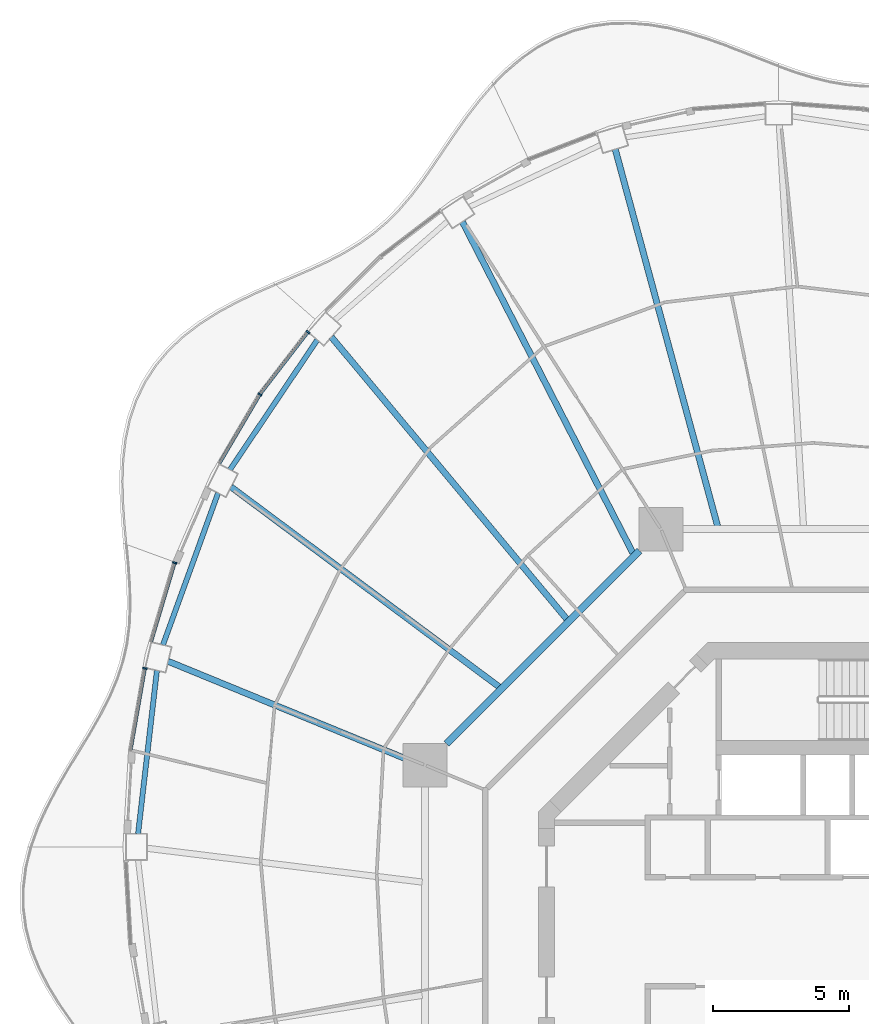
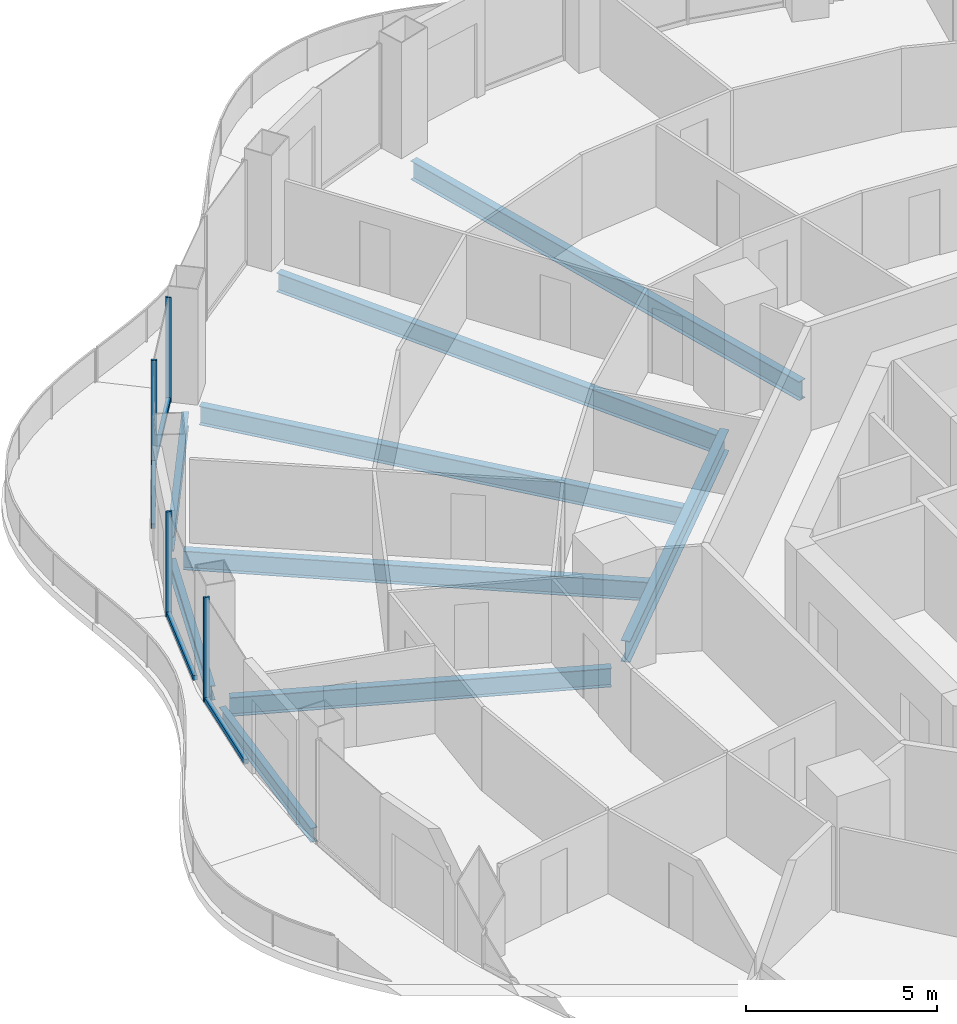
# One storey, part 5 of 18: 9 beams, 8 members, 4 elements without a shape of their own.
"""IFC4 building model written with IfcOpenShell, lengths in metres."""

from ifc_helpers import new_model, si_unit, direction, frame, origin, origin_2d, place, context, subcontext, project, spatial, rectangle, i_section, extrude, material, layer, layer_set, material_profile, profile_set, type_object, element, aggregate, save


model = new_model("IFC4")

# Units and contexts
model_context = context("Model", 3, precision=1e-05, world=origin(), true_north=direction((0.0, 1.0)))
body_context = subcontext(model_context, "Body", "Model", "MODEL_VIEW")
ifc_project = project(units=[si_unit("LENGTHUNIT", "METRE"), si_unit("AREAUNIT", "SQUARE_METRE"), si_unit("VOLUMEUNIT", "CUBIC_METRE"), si_unit("PLANEANGLEUNIT", "RADIAN"), si_unit("MASSUNIT", "GRAM", prefix="KILO")], contexts=[model_context])

# Site, building, storey
site_placement = place(None, origin())
site = spatial("IfcSite", under=ifc_project, at=site_placement, CompositionType="ELEMENT")
building_placement = place(site_placement, origin())
building = spatial("IfcBuilding", under=site, at=building_placement, Name="Nagisa Residences", CompositionType="ELEMENT")
storey_placement = place(building_placement, frame((0.0, 0.0, 249.199951171875)))
storey = spatial("IfcBuildingStorey", under=building, at=storey_placement, Name="L63", CompositionType="ELEMENT", Elevation=249.199951171875)

# Curtain wall, member
ifc_material_1 = material(Name="Concrete-coloured aluminium curtain wall system", Category="concrete")
ifc_layer = layer(ifc_material_1, 0.159912109375)
ifc_layer_set = layer_set([ifc_layer], Name="CW1 CURTAIN WALL")
curtain_wall_type = type_object("IfcCurtainWallType", Name="CW1 CURTAIN WALL", PredefinedType="NOTDEFINED", material=ifc_layer_set)
curtain_wall_1_placement = place(storey_placement, origin())
curtain_wall_1 = element("IfcCurtainWall", 1, at=curtain_wall_1_placement, inside=storey, type_object=curtain_wall_type, Name="cw:CW1:L63:18", PredefinedType="NOTDEFINED")
ifc_material_2 = material(Name="Concrete-coloured aluminium", Category="concrete")
ifc_material_profile_1 = material_profile(ifc_material_2, rectangle(XDim=0.159912109375, YDim=0.06005859375, at=origin_2d()), Name="CW1 MULLION 160x60")
ifc_profile_set_1 = profile_set([ifc_material_profile_1], Name="Concrete-coloured aluminium")
member_type_1 = type_object("IfcMemberType", Name="CW1 MULLION 160x60", PredefinedType="MULLION", material=ifc_profile_set_1)
member_1_placement = place(storey_placement, frame((-19.080322265625, 22.0166015625, 0.0), z_axis=(0.0, 0.0, 1.0), x_axis=(0.792070340816, -0.610429828235, 0.0)))
member_1 = element("IfcMember", 2, at=member_1_placement, type_object=member_type_1, Name="CW1 mullion", PredefinedType="MULLION", context=body_context, shape_type="SweptSolid", body=[
    extrude(rectangle(XDim=0.159912109375, YDim=0.06005859375, at=origin_2d()), origin(), (0.0, 0.0, 1.0), 3.35009765625),
])

curtain_wall_2_placement = place(storey_placement, origin())
curtain_wall_2 = element("IfcCurtainWall", 3, at=curtain_wall_2_placement, inside=storey, type_object=curtain_wall_type, Name="cw:CW1:L63:19", PredefinedType="NOTDEFINED")
member_2_placement = place(storey_placement, frame((-20.84228515625, 19.725341796875, 0.0), z_axis=(0.0, 0.0, 1.0), x_axis=(0.862328898214, -0.506348567002, 0.0)))
member_2 = element("IfcMember", 4, at=member_2_placement, type_object=member_type_1, Name="CW1 mullion", PredefinedType="MULLION", context=body_context, shape_type="SweptSolid", body=[
    extrude(rectangle(XDim=0.159912109375, YDim=0.06005859375, at=origin_2d()), origin(), (0.0, 0.0, 1.0), 3.35009765625),
])

curtain_wall_3_placement = place(storey_placement, origin())
curtain_wall_3 = element("IfcCurtainWall", 5, at=curtain_wall_3_placement, inside=storey, type_object=curtain_wall_type, Name="cw:CW1:L63:21", PredefinedType="NOTDEFINED")
member_3_placement = place(storey_placement, frame((-23.9697265625, 13.5478515625, 0.0), z_axis=(0.0, 0.0, 1.0), x_axis=(0.958271310082, -0.285860274038, 0.0)))
member_3 = element("IfcMember", 6, at=member_3_placement, type_object=member_type_1, Name="CW1 mullion", PredefinedType="MULLION", context=body_context, shape_type="SweptSolid", body=[
    extrude(rectangle(XDim=0.159912109375, YDim=0.06005859375, at=origin_2d()), origin(), (0.0, 0.0, 1.0), 3.35009765625),
])

curtain_wall_4_placement = place(storey_placement, origin())
curtain_wall_4 = element("IfcCurtainWall", 7, at=curtain_wall_4_placement, inside=storey, type_object=curtain_wall_type, Name="cw:CW1:L63:22", PredefinedType="NOTDEFINED")
member_4_placement = place(storey_placement, frame((-25.062255859375, 9.6708984375, 0.0), z_axis=(0.0, 0.0, 1.0), x_axis=(0.985063604377, -0.172190868898, 0.0)))
member_4 = element("IfcMember", 8, at=member_4_placement, type_object=member_type_1, Name="CW1 mullion", PredefinedType="MULLION", context=body_context, shape_type="SweptSolid", body=[
    extrude(rectangle(XDim=0.159912109375, YDim=0.06005859375, at=origin_2d()), origin(), (0.0, 0.0, 1.0), 3.35009765625),
])

# Member
ifc_material_3 = material(Name="Concrete-coloured aluminium", Category="concrete")
ifc_material_profile_2 = material_profile(ifc_material_3, rectangle(XDim=0.1201171875, YDim=0.14990234375, at=origin_2d()), Name="CW1 TRANSOM 120x150")
ifc_profile_set_2 = profile_set([ifc_material_profile_2], Name="Concrete-coloured aluminium")
member_type_2 = type_object("IfcMemberType", Name="CW1 TRANSOM 120x150", PredefinedType="USERDEFINED", material=ifc_profile_set_2)
member_5_placement = place(storey_placement, frame((-19.06201171875, 22.04052734375, 0.074951171875), z_axis=(-0.610438565676, -0.792063607001, 0.0), x_axis=(0.792063607001, -0.610438565676, 0.0)))
member_5 = element("IfcMember", 9, at=member_5_placement, type_object=member_type_2, Name="CW1 transom", ObjectType="TRANSOM", PredefinedType="USERDEFINED", context=body_context, shape_type="SweptSolid", body=[
    extrude(rectangle(XDim=0.1201171875, YDim=0.14990234375, at=origin_2d()), origin(), (0.0, 0.0, 1.0), 2.90087890625),
])

aggregate(curtain_wall_1, [member_1, member_5])

member_6_placement = place(storey_placement, frame((-20.8271484375, 19.751220703125, 0.074951171875), z_axis=(-0.506294090973, -0.862360883532, 0.0), x_axis=(0.862360883532, -0.506294090973, 0.0)))
member_6 = element("IfcMember", 10, at=member_6_placement, type_object=member_type_2, Name="CW1 transom", ObjectType="TRANSOM", PredefinedType="USERDEFINED", context=body_context, shape_type="SweptSolid", body=[
    extrude(rectangle(XDim=0.1201171875, YDim=0.14990234375, at=origin_2d()), origin(), (0.0, 0.0, 1.0), 2.95458984375),
])

aggregate(curtain_wall_2, [member_2, member_6])

member_7_placement = place(storey_placement, frame((-23.961181640625, 13.576416015625, 0.074951171875), z_axis=(-0.285881452443, -0.958264992134, 0.0), x_axis=(0.958264992134, -0.285881452443, 0.0)))
member_7 = element("IfcMember", 11, at=member_7_placement, type_object=member_type_2, Name="CW1 transom", ObjectType="TRANSOM", PredefinedType="USERDEFINED", context=body_context, shape_type="SweptSolid", body=[
    extrude(rectangle(XDim=0.1201171875, YDim=0.14990234375, at=origin_2d()), origin(), (0.0, 0.0, 1.0), 3.040283203125),
])

aggregate(curtain_wall_3, [member_3, member_7])

member_8_placement = place(storey_placement, frame((-25.05712890625, 9.700439453125, 0.074951171875), z_axis=(-0.172164083933, -0.985068286061, 0.0), x_axis=(0.985068286061, -0.172164083933, 0.0)))
member_8 = element("IfcMember", 12, at=member_8_placement, type_object=member_type_2, Name="CW1 transom", ObjectType="TRANSOM", PredefinedType="USERDEFINED", context=body_context, shape_type="SweptSolid", body=[
    extrude(rectangle(XDim=0.1201171875, YDim=0.14990234375, at=origin_2d()), origin(), (0.0, 0.0, 1.0), 3.0673828125),
])

aggregate(curtain_wall_4, [member_4, member_8])

# Beams
ifc_material_4 = material(Name="Steel ASTM A572 Gr 50", Category="steel")
ifc_material_profile_3 = material_profile(ifc_material_4, i_section(OverallWidth=0.2529296875, OverallDepth=0.677978515625, WebThickness=0.01171875, FlangeThickness=0.016357421875, at=origin_2d()), Name="W690x125")
ifc_profile_set_3 = profile_set([ifc_material_profile_3], Name="Steel ASTM A572 Gr 50")
beam_type_1 = type_object("IfcBeamType", Name="Inner ring beam W690x125", PredefinedType="BEAM", material=ifc_profile_set_3)
beam_1_placement = place(storey_placement, frame((-6.90869140625, 13.99609375, -0.598876953125), z_axis=(-0.707106781187, -0.707106781187, 0.0), x_axis=(0.707106781187, -0.707106781187, 0.0)))
element("IfcBeam", 13, at=beam_1_placement, inside=storey, type_object=beam_type_1, Name="beam:L63:ib3", PredefinedType="BEAM", context=body_context, shape_type="SweptSolid", body=[
    extrude(i_section(OverallWidth=0.2529296875, OverallDepth=0.677978515625, WebThickness=0.01171875, FlangeThickness=0.016357421875, at=origin_2d()), origin(), (0.0, 0.0, 1.0), 10.023193359375),
])
ifc_material_5 = material(Name="Steel ASTM A572 Gr 50", Category="steel")
ifc_material_profile_4 = material_profile(ifc_material_5, i_section(OverallWidth=0.18994140625, OverallDepth=0.45703125, WebThickness=0.009033203125, FlangeThickness=0.014404296875, at=origin_2d()), Name="W460x74")
ifc_profile_set_4 = profile_set([ifc_material_profile_4], Name="Steel ASTM A572 Gr 50")
beam_type_2 = type_object("IfcBeamType", Name="Perimeter ring beam W460x74", PredefinedType="BEAM", material=ifc_profile_set_4)
beam_2_placement = place(storey_placement, frame((-18.73681640625, 21.72998046875, -0.488525390625), z_axis=(-0.558079852096, -0.829787249049, 0.0), x_axis=(0.829787249049, -0.558079852096, 0.0)))
element("IfcBeam", 14, at=beam_2_placement, inside=storey, type_object=beam_type_2, Name="beam:L63:pb10", PredefinedType="BEAM", context=body_context, shape_type="SweptSolid", body=[
    extrude(i_section(OverallWidth=0.18994140625, OverallDepth=0.45703125, WebThickness=0.009033203125, FlangeThickness=0.014404296875, at=origin_2d()), origin(), (0.0, 0.0, 1.0), 5.743408203125),
])
beam_3_placement = place(storey_placement, frame((-22.377197265625, 16.108154296875, -0.488525390625), z_axis=(-0.34127712749, -0.939962723863, 0.0), x_axis=(0.939962723863, -0.34127712749, 0.0)))
element("IfcBeam", 15, at=beam_3_placement, inside=storey, type_object=beam_type_2, Name="beam:L63:pb11", PredefinedType="BEAM", context=body_context, shape_type="SweptSolid", body=[
    extrude(i_section(OverallWidth=0.18994140625, OverallDepth=0.45703125, WebThickness=0.009033203125, FlangeThickness=0.014404296875, at=origin_2d()), origin(), (0.0, 0.0, 1.0), 5.9326171875),
])
beam_4_placement = place(storey_placement, frame((-24.622314453125, 9.59716796875, -0.488525390625), z_axis=(-0.114650193512, -0.993405925656, 0.0), x_axis=(0.993405925656, -0.114650193512, 0.0)))
element("IfcBeam", 16, at=beam_4_placement, inside=storey, type_object=beam_type_2, Name="beam:L63:pb12", PredefinedType="BEAM", context=body_context, shape_type="SweptSolid", body=[
    extrude(i_section(OverallWidth=0.18994140625, OverallDepth=0.45703125, WebThickness=0.009033203125, FlangeThickness=0.014404296875, at=origin_2d()), origin(), (0.0, 0.0, 1.0), 6.0390625),
])
ifc_material_6 = material(Name="Steel ASTM A572 Gr 50", Category="steel")
ifc_material_profile_5 = material_profile(ifc_material_6, i_section(OverallWidth=0.22802734375, OverallDepth=0.60302734375, WebThickness=0.010498046875, FlangeThickness=0.014892578125, at=origin_2d()), Name="W610x101")
ifc_profile_set_5 = profile_set([ifc_material_profile_5], Name="Steel ASTM A572 Gr 50")
beam_type_3 = type_object("IfcBeamType", Name="Radial beam W610x101", PredefinedType="BEAM", material=ifc_profile_set_5)
beam_5_placement = place(storey_placement, frame((-7.80078125, 28.724609375, -0.5615234375), z_axis=(0.26207978084, -0.965046210539, 0.0), x_axis=(0.965046210539, 0.26207978084, 0.0)))
element("IfcBeam", 17, at=beam_5_placement, inside=storey, type_object=beam_type_3, Name="beam:L63:rb08", PredefinedType="BEAM", context=body_context, shape_type="SweptSolid", body=[
    extrude(i_section(OverallWidth=0.22802734375, OverallDepth=0.60302734375, WebThickness=0.010498046875, FlangeThickness=0.014892578125, at=origin_2d()), origin(), (0.0, 0.0, 1.0), 14.336669921875),
])
beam_6_placement = place(storey_placement, frame((-13.41015625, 26.065185546875, -0.5615234375), z_axis=(0.457487565814, -0.889216018257, 0.0), x_axis=(0.889216018257, 0.457487565814, 0.0)))
element("IfcBeam", 18, at=beam_6_placement, inside=storey, type_object=beam_type_3, Name="beam:L63:rb09", PredefinedType="BEAM", context=body_context, shape_type="SweptSolid", body=[
    extrude(i_section(OverallWidth=0.22802734375, OverallDepth=0.60302734375, WebThickness=0.010498046875, FlangeThickness=0.014892578125, at=origin_2d()), origin(), (0.0, 0.0, 1.0), 13.676513671875),
])
beam_7_placement = place(storey_placement, frame((-18.219970703125, 21.83642578125, -0.5615234375), z_axis=(0.64065600401, -0.767828030568, 0.0), x_axis=(0.767828030568, 0.64065600401, 0.0)))
element("IfcBeam", 19, at=beam_7_placement, inside=storey, type_object=beam_type_3, Name="beam:L63:rb10", PredefinedType="BEAM", context=body_context, shape_type="SweptSolid", body=[
    extrude(i_section(OverallWidth=0.22802734375, OverallDepth=0.60302734375, WebThickness=0.010498046875, FlangeThickness=0.014892578125, at=origin_2d()), origin(), (0.0, 0.0, 1.0), 13.490234375),
])
beam_8_placement = place(storey_placement, frame((-21.90283203125, 16.33203125, -0.5615234375), z_axis=(0.801674643351, -0.597760626177, 0.0), x_axis=(0.597760626177, 0.801674643351, 0.0)))
element("IfcBeam", 20, at=beam_8_placement, inside=storey, type_object=beam_type_3, Name="beam:L63:rb11", PredefinedType="BEAM", context=body_context, shape_type="SweptSolid", body=[
    extrude(i_section(OverallWidth=0.22802734375, OverallDepth=0.60302734375, WebThickness=0.010498046875, FlangeThickness=0.014892578125, at=origin_2d()), origin(), (0.0, 0.0, 1.0), 12.275634765625),
])
beam_9_placement = place(storey_placement, frame((-24.210693359375, 9.93115234375, -0.5615234375), z_axis=(0.925188691773, -0.379507423663, 0.0), x_axis=(0.379507423663, 0.925188691773, 0.0)))
element("IfcBeam", 21, at=beam_9_placement, inside=storey, type_object=beam_type_3, Name="beam:L63:rb12", PredefinedType="BEAM", context=body_context, shape_type="SweptSolid", body=[
    extrude(i_section(OverallWidth=0.22802734375, OverallDepth=0.60302734375, WebThickness=0.010498046875, FlangeThickness=0.014892578125, at=origin_2d()), origin(), (0.0, 0.0, 1.0), 10.07421875),
])

save(model, "model.ifc")
